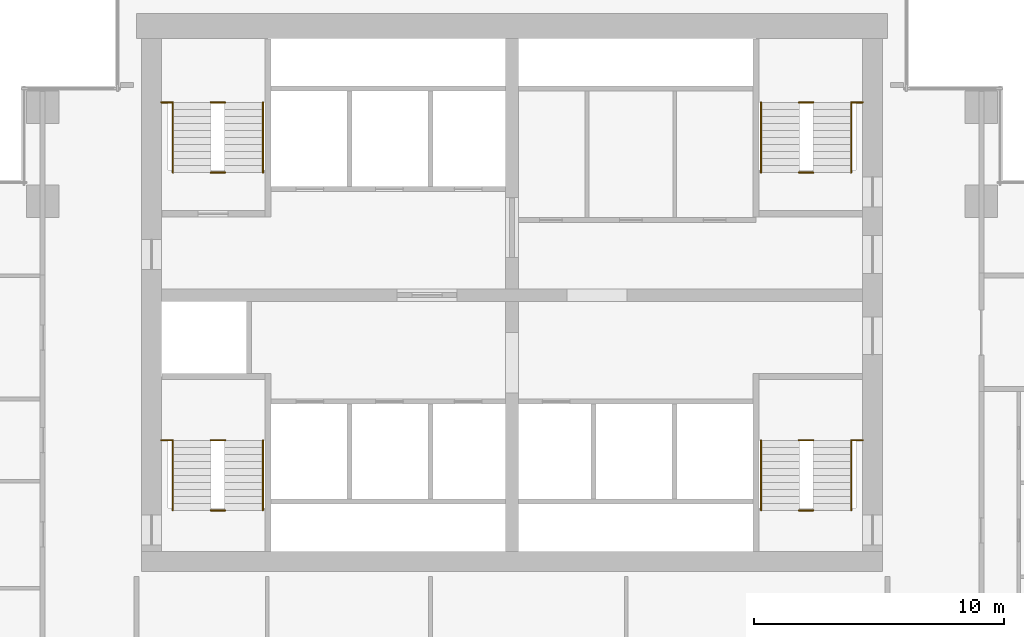
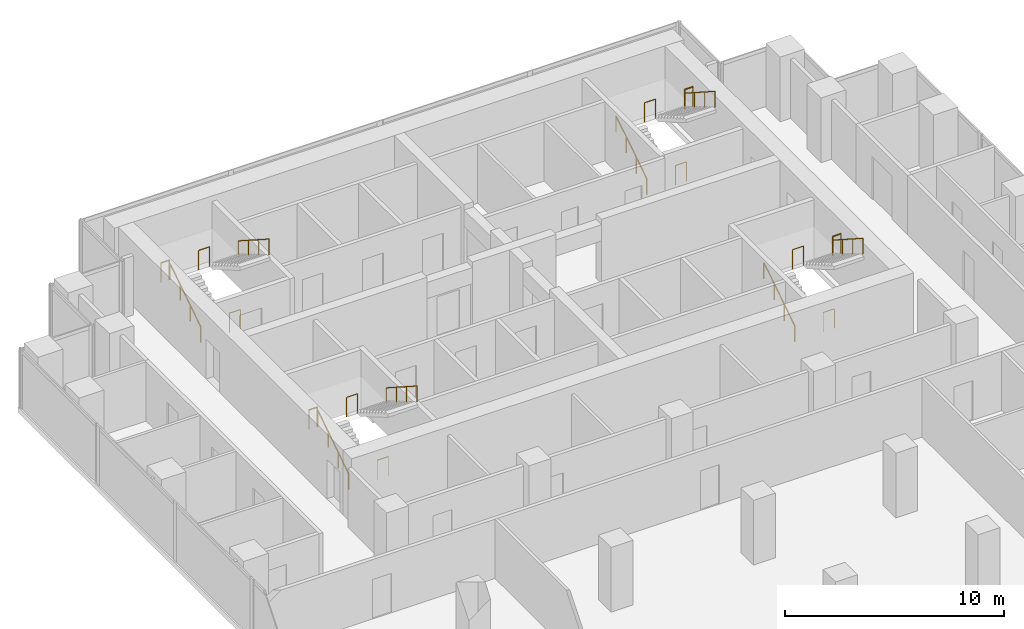
# One storey, part 10 of 10: 20 railings.
"""IFC4 building model written with IfcOpenShell, lengths in metres."""

from ifc_helpers import new_model, si_unit, direction, frame, origin, origin_2d, place, context, subcontext, project, spatial, circle, extrude, material, type_object, element, save


model = new_model("IFC4")

# Units and contexts
model_context = context("Model", 3, precision=1e-05, world=origin(), true_north=direction((0.0, 1.0)))
body_context = subcontext(model_context, "Body", "Model", "MODEL_VIEW")
ifc_project = project(units=[si_unit("LENGTHUNIT", "METRE"), si_unit("AREAUNIT", "SQUARE_METRE"), si_unit("VOLUMEUNIT", "CUBIC_METRE"), si_unit("PLANEANGLEUNIT", "RADIAN"), si_unit("MASSUNIT", "GRAM", prefix="KILO")], contexts=[model_context])

# Site, building, storey
site_placement = place(None, origin())
site = spatial("IfcSite", under=ifc_project, at=site_placement, CompositionType="ELEMENT")
building_placement = place(site_placement, origin())
building = spatial("IfcBuilding", under=site, at=building_placement, Name="Pilkhan Gate Tower", CompositionType="ELEMENT")
storey_placement = place(building_placement, frame((0.0, 0.0, 118.0)))
storey = spatial("IfcBuildingStorey", under=building, at=storey_placement, Name="L29", CompositionType="ELEMENT", Elevation=118.0)

# Railings
ifc_material_1 = material(Name="Black powder-coated steel tube", Category="steel")
railing_type_1 = type_object("IfcRailingType", Name="Stair handrail HR1", PredefinedType="HANDRAIL", material=ifc_material_1)
railing_1_placement = place(storey_placement, frame((84.949951171875, 73.89990234375, 0.0)))
element("IfcRailing", 1, at=railing_1_placement, inside=storey, type_object=railing_type_1, Name="Stair ST1 handrail L29", PredefinedType="HANDRAIL", context=body_context, shape_type="SweptSolid", body=[
    extrude(circle(Radius=0.02392578125, at=origin_2d()), frame((0.0, 0.0, 0.8759765625), z_axis=(0.0, 0.841176092368, 0.540761298198), x_axis=(-1.0, 0.0, 0.0)), (0.0, 0.0, 1.0), 3.32861328125),
    extrude(circle(Radius=0.02099609375, at=origin_2d()), origin(), (0.0, 0.0, 1.0), 0.851806640625),
    extrude(circle(Radius=0.02099609375, at=origin_2d()), frame((0.0, 0.933349609375, 0.60009765625)), (0.0, 0.0, 1.0), 0.851806640625),
    extrude(circle(Radius=0.02099609375, at=origin_2d()), frame((0.0, 1.86669921875, 1.199951171875)), (0.0, 0.0, 1.0), 0.851806640625),
    extrude(circle(Radius=0.02099609375, at=origin_2d()), frame((0.0, 2.800048828125, 1.800048828125)), (0.0, 0.0, 1.0), 0.851806640625),
])
railing_2_placement = place(storey_placement, frame((88.550048828125, 76.699951171875, 1.800048828125)))
element("IfcRailing", 2, at=railing_2_placement, inside=storey, type_object=railing_type_1, Name="Stair ST1 handrail L29", PredefinedType="HANDRAIL", context=body_context, shape_type="SweptSolid", body=[
    extrude(circle(Radius=0.02392578125, at=origin_2d()), frame((0.0, 0.0, 0.8759765625), z_axis=(0.0, -0.841176092368, 0.540761298198), x_axis=(1.0, 0.0, 0.0)), (0.0, 0.0, 1.0), 3.32861328125),
    extrude(circle(Radius=0.02099609375, at=origin_2d()), origin(), (0.0, 0.0, 1.0), 0.851806640625),
    extrude(circle(Radius=0.02099609375, at=origin_2d()), frame((0.0, -0.933349609375, 0.60009765625)), (0.0, 0.0, 1.0), 0.851806640625),
    extrude(circle(Radius=0.02099609375, at=origin_2d()), frame((0.0, -1.86669921875, 1.199951171875)), (0.0, 0.0, 1.0), 0.851806640625),
    extrude(circle(Radius=0.02099609375, at=origin_2d()), frame((0.0, -2.800048828125, 1.800048828125)), (0.0, 0.0, 1.0), 0.851806640625),
])
railing_3_placement = place(storey_placement, frame((61.449951171875, 73.89990234375, 0.0)))
element("IfcRailing", 3, at=railing_3_placement, inside=storey, type_object=railing_type_1, Name="Stair ST2 handrail L29", PredefinedType="HANDRAIL", context=body_context, shape_type="SweptSolid", body=[
    extrude(circle(Radius=0.02392578125, at=origin_2d()), frame((0.0, 0.0, 0.8759765625), z_axis=(0.0, 0.841176092368, 0.540761298198), x_axis=(-1.0, 0.0, 0.0)), (0.0, 0.0, 1.0), 3.32861328125),
    extrude(circle(Radius=0.02099609375, at=origin_2d()), origin(), (0.0, 0.0, 1.0), 0.851806640625),
    extrude(circle(Radius=0.02099609375, at=origin_2d()), frame((0.0, 0.933349609375, 0.60009765625)), (0.0, 0.0, 1.0), 0.851806640625),
    extrude(circle(Radius=0.02099609375, at=origin_2d()), frame((0.0, 1.86669921875, 1.199951171875)), (0.0, 0.0, 1.0), 0.851806640625),
    extrude(circle(Radius=0.02099609375, at=origin_2d()), frame((0.0, 2.800048828125, 1.800048828125)), (0.0, 0.0, 1.0), 0.851806640625),
])
railing_4_placement = place(storey_placement, frame((65.050048828125, 76.699951171875, 1.800048828125)))
element("IfcRailing", 4, at=railing_4_placement, inside=storey, type_object=railing_type_1, Name="Stair ST2 handrail L29", PredefinedType="HANDRAIL", context=body_context, shape_type="SweptSolid", body=[
    extrude(circle(Radius=0.02392578125, at=origin_2d()), frame((0.0, 0.0, 0.8759765625), z_axis=(0.0, -0.841176092368, 0.540761298198), x_axis=(1.0, 0.0, 0.0)), (0.0, 0.0, 1.0), 3.32861328125),
    extrude(circle(Radius=0.02099609375, at=origin_2d()), origin(), (0.0, 0.0, 1.0), 0.851806640625),
    extrude(circle(Radius=0.02099609375, at=origin_2d()), frame((0.0, -0.933349609375, 0.60009765625)), (0.0, 0.0, 1.0), 0.851806640625),
    extrude(circle(Radius=0.02099609375, at=origin_2d()), frame((0.0, -1.86669921875, 1.199951171875)), (0.0, 0.0, 1.0), 0.851806640625),
    extrude(circle(Radius=0.02099609375, at=origin_2d()), frame((0.0, -2.800048828125, 1.800048828125)), (0.0, 0.0, 1.0), 0.851806640625),
])
railing_5_placement = place(storey_placement, frame((61.449951171875, 87.39990234375, 0.0)))
element("IfcRailing", 5, at=railing_5_placement, inside=storey, type_object=railing_type_1, Name="Stair ST3 handrail L29", PredefinedType="HANDRAIL", context=body_context, shape_type="SweptSolid", body=[
    extrude(circle(Radius=0.02392578125, at=origin_2d()), frame((0.0, 0.0, 0.8759765625), z_axis=(0.0, 0.841176092368, 0.540761298198), x_axis=(-1.0, 0.0, 0.0)), (0.0, 0.0, 1.0), 3.32861328125),
    extrude(circle(Radius=0.02099609375, at=origin_2d()), origin(), (0.0, 0.0, 1.0), 0.851806640625),
    extrude(circle(Radius=0.02099609375, at=origin_2d()), frame((0.0, 0.933349609375, 0.60009765625)), (0.0, 0.0, 1.0), 0.851806640625),
    extrude(circle(Radius=0.02099609375, at=origin_2d()), frame((0.0, 1.86669921875, 1.199951171875)), (0.0, 0.0, 1.0), 0.851806640625),
    extrude(circle(Radius=0.02099609375, at=origin_2d()), frame((0.0, 2.800048828125, 1.800048828125)), (0.0, 0.0, 1.0), 0.851806640625),
])
railing_6_placement = place(storey_placement, frame((65.050048828125, 90.199951171875, 1.800048828125)))
element("IfcRailing", 6, at=railing_6_placement, inside=storey, type_object=railing_type_1, Name="Stair ST3 handrail L29", PredefinedType="HANDRAIL", context=body_context, shape_type="SweptSolid", body=[
    extrude(circle(Radius=0.02392578125, at=origin_2d()), frame((0.0, 0.0, 0.8759765625), z_axis=(0.0, -0.841176092368, 0.540761298198), x_axis=(1.0, 0.0, 0.0)), (0.0, 0.0, 1.0), 3.32861328125),
    extrude(circle(Radius=0.02099609375, at=origin_2d()), origin(), (0.0, 0.0, 1.0), 0.851806640625),
    extrude(circle(Radius=0.02099609375, at=origin_2d()), frame((0.0, -0.933349609375, 0.60009765625)), (0.0, 0.0, 1.0), 0.851806640625),
    extrude(circle(Radius=0.02099609375, at=origin_2d()), frame((0.0, -1.86669921875, 1.199951171875)), (0.0, 0.0, 1.0), 0.851806640625),
    extrude(circle(Radius=0.02099609375, at=origin_2d()), frame((0.0, -2.800048828125, 1.800048828125)), (0.0, 0.0, 1.0), 0.851806640625),
])
railing_7_placement = place(storey_placement, frame((84.949951171875, 87.39990234375, 0.0)))
element("IfcRailing", 7, at=railing_7_placement, inside=storey, type_object=railing_type_1, Name="Stair ST4 handrail L29", PredefinedType="HANDRAIL", context=body_context, shape_type="SweptSolid", body=[
    extrude(circle(Radius=0.02392578125, at=origin_2d()), frame((0.0, 0.0, 0.8759765625), z_axis=(0.0, 0.841176092368, 0.540761298198), x_axis=(-1.0, 0.0, 0.0)), (0.0, 0.0, 1.0), 3.32861328125),
    extrude(circle(Radius=0.02099609375, at=origin_2d()), origin(), (0.0, 0.0, 1.0), 0.851806640625),
    extrude(circle(Radius=0.02099609375, at=origin_2d()), frame((0.0, 0.933349609375, 0.60009765625)), (0.0, 0.0, 1.0), 0.851806640625),
    extrude(circle(Radius=0.02099609375, at=origin_2d()), frame((0.0, 1.86669921875, 1.199951171875)), (0.0, 0.0, 1.0), 0.851806640625),
    extrude(circle(Radius=0.02099609375, at=origin_2d()), frame((0.0, 2.800048828125, 1.800048828125)), (0.0, 0.0, 1.0), 0.851806640625),
])
railing_8_placement = place(storey_placement, frame((88.550048828125, 90.199951171875, 1.800048828125)))
element("IfcRailing", 8, at=railing_8_placement, inside=storey, type_object=railing_type_1, Name="Stair ST4 handrail L29", PredefinedType="HANDRAIL", context=body_context, shape_type="SweptSolid", body=[
    extrude(circle(Radius=0.02392578125, at=origin_2d()), frame((0.0, 0.0, 0.8759765625), z_axis=(0.0, -0.841176092368, 0.540761298198), x_axis=(1.0, 0.0, 0.0)), (0.0, 0.0, 1.0), 3.32861328125),
    extrude(circle(Radius=0.02099609375, at=origin_2d()), origin(), (0.0, 0.0, 1.0), 0.851806640625),
    extrude(circle(Radius=0.02099609375, at=origin_2d()), frame((0.0, -0.933349609375, 0.60009765625)), (0.0, 0.0, 1.0), 0.851806640625),
    extrude(circle(Radius=0.02099609375, at=origin_2d()), frame((0.0, -1.86669921875, 1.199951171875)), (0.0, 0.0, 1.0), 0.851806640625),
    extrude(circle(Radius=0.02099609375, at=origin_2d()), frame((0.0, -2.800048828125, 1.800048828125)), (0.0, 0.0, 1.0), 0.851806640625),
])
ifc_material_2 = material(Name="Black powder-coated steel balusters", Category="steel")
railing_type_2 = type_object("IfcRailingType", Name="Stair well guard G3", PredefinedType="GUARDRAIL", material=ifc_material_2)
railing_9_placement = place(storey_placement, frame((88.580078125, 76.699951171875, 1.800048828125)))
element("IfcRailing", 9, at=railing_9_placement, inside=storey, type_object=railing_type_2, Name="Stair ST1 well guard L29", PredefinedType="GUARDRAIL", context=body_context, shape_type="SweptSolid", body=[
    extrude(circle(Radius=0.02392578125, at=origin_2d()), frame((0.0, 0.0, 1.076171875), z_axis=(1.0, 0.0, 0.0), x_axis=(0.0, 1.0, 0.0)), (0.0, 0.0, 1.0), 0.43994140625),
    extrude(circle(Radius=0.02099609375, at=origin_2d()), origin(), (0.0, 0.0, 1.0), 1.052001953125),
    extrude(circle(Radius=0.02099609375, at=origin_2d()), frame((0.43994140625, 0.0, 0.0)), (0.0, 0.0, 1.0), 1.052001953125),
])
for number, where, name in (
    (10, (86.4599609375, 73.89990234375, 0.0), "Stair ST1 well guard L29"),
    (11, (86.4599609375, 76.699951171875, 1.800048828125), "Stair ST1 well guard L29"),
):
    element("IfcRailing", number, at=place(storey_placement, frame(where)), inside=storey, type_object=railing_type_2, Name=name, PredefinedType="GUARDRAIL", context=body_context, shape_type="SweptSolid", body=[
        extrude(circle(Radius=0.02392578125, at=origin_2d()), frame((0.0, 0.0, 1.076171875), z_axis=(1.0, 0.0, 0.0), x_axis=(0.0, 1.0, 0.0)), (0.0, 0.0, 1.0), 0.580078125),
        extrude(circle(Radius=0.02099609375, at=origin_2d()), origin(), (0.0, 0.0, 1.0), 1.052001953125),
        extrude(circle(Radius=0.02099609375, at=origin_2d()), frame((0.580078125, 0.0, 0.0)), (0.0, 0.0, 1.0), 1.052001953125),
    ])
railing_10_placement = place(storey_placement, frame((60.97998046875, 76.699951171875, 1.800048828125)))
element("IfcRailing", 12, at=railing_10_placement, inside=storey, type_object=railing_type_2, Name="Stair ST2 well guard L29", PredefinedType="GUARDRAIL", context=body_context, shape_type="SweptSolid", body=[
    extrude(circle(Radius=0.02392578125, at=origin_2d()), frame((0.0, 0.0, 1.076171875), z_axis=(1.0, 0.0, 0.0), x_axis=(0.0, 1.0, 0.0)), (0.0, 0.0, 1.0), 0.43994140625),
    extrude(circle(Radius=0.02099609375, at=origin_2d()), origin(), (0.0, 0.0, 1.0), 1.052001953125),
    extrude(circle(Radius=0.02099609375, at=origin_2d()), frame((0.43994140625, 0.0, 0.0)), (0.0, 0.0, 1.0), 1.052001953125),
])
for number, where, name in (
    (13, (62.9599609375, 73.89990234375, 0.0), "Stair ST2 well guard L29"),
    (14, (62.9599609375, 76.699951171875, 1.800048828125), "Stair ST2 well guard L29"),
):
    element("IfcRailing", number, at=place(storey_placement, frame(where)), inside=storey, type_object=railing_type_2, Name=name, PredefinedType="GUARDRAIL", context=body_context, shape_type="SweptSolid", body=[
        extrude(circle(Radius=0.02392578125, at=origin_2d()), frame((0.0, 0.0, 1.076171875), z_axis=(1.0, 0.0, 0.0), x_axis=(0.0, 1.0, 0.0)), (0.0, 0.0, 1.0), 0.580078125),
        extrude(circle(Radius=0.02099609375, at=origin_2d()), origin(), (0.0, 0.0, 1.0), 1.052001953125),
        extrude(circle(Radius=0.02099609375, at=origin_2d()), frame((0.580078125, 0.0, 0.0)), (0.0, 0.0, 1.0), 1.052001953125),
    ])
railing_11_placement = place(storey_placement, frame((60.97998046875, 90.199951171875, 1.800048828125)))
element("IfcRailing", 15, at=railing_11_placement, inside=storey, type_object=railing_type_2, Name="Stair ST3 well guard L29", PredefinedType="GUARDRAIL", context=body_context, shape_type="SweptSolid", body=[
    extrude(circle(Radius=0.02392578125, at=origin_2d()), frame((0.0, 0.0, 1.076171875), z_axis=(1.0, 0.0, 0.0), x_axis=(0.0, 1.0, 0.0)), (0.0, 0.0, 1.0), 0.43994140625),
    extrude(circle(Radius=0.02099609375, at=origin_2d()), origin(), (0.0, 0.0, 1.0), 1.052001953125),
    extrude(circle(Radius=0.02099609375, at=origin_2d()), frame((0.43994140625, 0.0, 0.0)), (0.0, 0.0, 1.0), 1.052001953125),
])
for number, where, name in (
    (16, (62.9599609375, 87.39990234375, 0.0), "Stair ST3 well guard L29"),
    (17, (62.9599609375, 90.199951171875, 1.800048828125), "Stair ST3 well guard L29"),
):
    element("IfcRailing", number, at=place(storey_placement, frame(where)), inside=storey, type_object=railing_type_2, Name=name, PredefinedType="GUARDRAIL", context=body_context, shape_type="SweptSolid", body=[
        extrude(circle(Radius=0.02392578125, at=origin_2d()), frame((0.0, 0.0, 1.076171875), z_axis=(1.0, 0.0, 0.0), x_axis=(0.0, 1.0, 0.0)), (0.0, 0.0, 1.0), 0.580078125),
        extrude(circle(Radius=0.02099609375, at=origin_2d()), origin(), (0.0, 0.0, 1.0), 1.052001953125),
        extrude(circle(Radius=0.02099609375, at=origin_2d()), frame((0.580078125, 0.0, 0.0)), (0.0, 0.0, 1.0), 1.052001953125),
    ])
railing_12_placement = place(storey_placement, frame((88.580078125, 90.199951171875, 1.800048828125)))
element("IfcRailing", 18, at=railing_12_placement, inside=storey, type_object=railing_type_2, Name="Stair ST4 well guard L29", PredefinedType="GUARDRAIL", context=body_context, shape_type="SweptSolid", body=[
    extrude(circle(Radius=0.02392578125, at=origin_2d()), frame((0.0, 0.0, 1.076171875), z_axis=(1.0, 0.0, 0.0), x_axis=(0.0, 1.0, 0.0)), (0.0, 0.0, 1.0), 0.43994140625),
    extrude(circle(Radius=0.02099609375, at=origin_2d()), origin(), (0.0, 0.0, 1.0), 1.052001953125),
    extrude(circle(Radius=0.02099609375, at=origin_2d()), frame((0.43994140625, 0.0, 0.0)), (0.0, 0.0, 1.0), 1.052001953125),
])
for number, where, name in (
    (19, (86.4599609375, 87.39990234375, 0.0), "Stair ST4 well guard L29"),
    (20, (86.4599609375, 90.199951171875, 1.800048828125), "Stair ST4 well guard L29"),
):
    element("IfcRailing", number, at=place(storey_placement, frame(where)), inside=storey, type_object=railing_type_2, Name=name, PredefinedType="GUARDRAIL", context=body_context, shape_type="SweptSolid", body=[
        extrude(circle(Radius=0.02392578125, at=origin_2d()), frame((0.0, 0.0, 1.076171875), z_axis=(1.0, 0.0, 0.0), x_axis=(0.0, 1.0, 0.0)), (0.0, 0.0, 1.0), 0.580078125),
        extrude(circle(Radius=0.02099609375, at=origin_2d()), origin(), (0.0, 0.0, 1.0), 1.052001953125),
        extrude(circle(Radius=0.02099609375, at=origin_2d()), frame((0.580078125, 0.0, 0.0)), (0.0, 0.0, 1.0), 1.052001953125),
    ])

save(model, "model.ifc")
